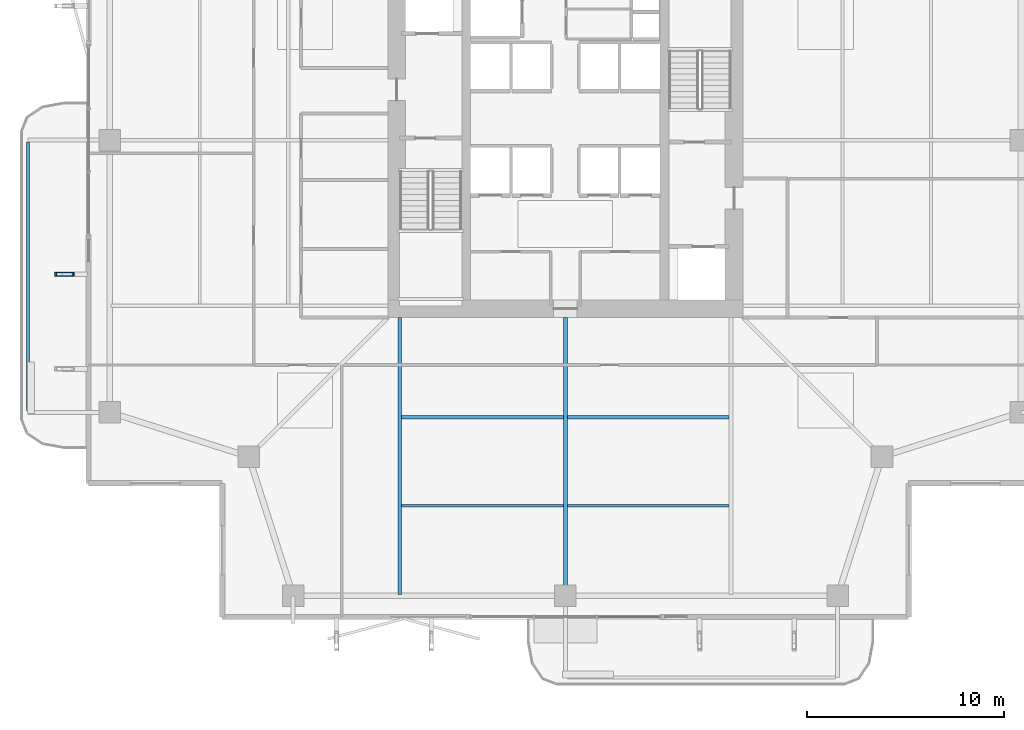
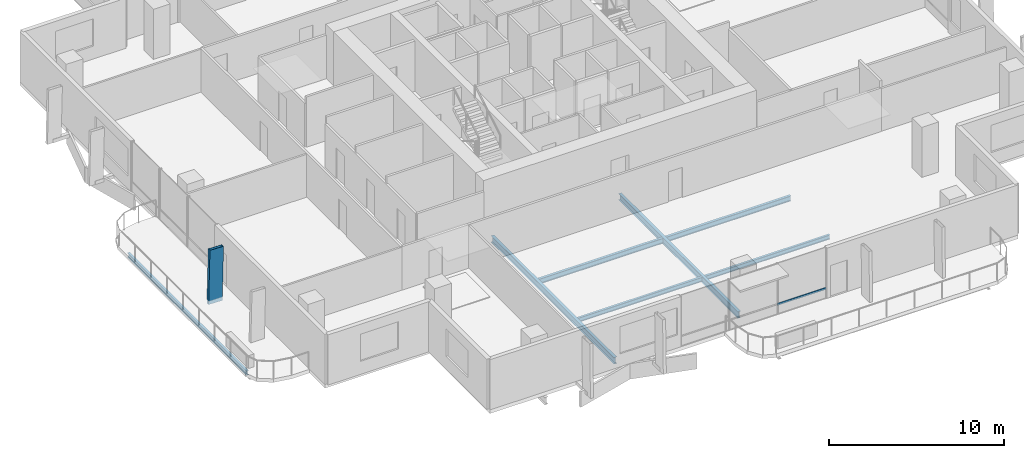
# One storey, part 3 of 25: 7 beams, 2 members, 1 element without a shape of its own.
"""IFC4 building model written with IfcOpenShell, lengths in metres."""

from ifc_helpers import new_model, si_unit, direction, frame, origin, origin_2d, place, context, subcontext, project, spatial, hollow_rectangle, i_section, extrude, material, layer, layer_set, material_profile, profile_set, type_object, element, aggregate, save


model = new_model("IFC4")

# Units and contexts
model_context = context("Model", 3, precision=1e-05, world=origin(), true_north=direction((0.0, 1.0)))
body_context = subcontext(model_context, "Body", "Model", "MODEL_VIEW")
ifc_project = project(units=[si_unit("LENGTHUNIT", "METRE"), si_unit("AREAUNIT", "SQUARE_METRE"), si_unit("VOLUMEUNIT", "CUBIC_METRE"), si_unit("PLANEANGLEUNIT", "RADIAN"), si_unit("MASSUNIT", "GRAM", prefix="KILO")], contexts=[model_context])

# Site, building, storey
site_placement = place(None, origin())
site = spatial("IfcSite", under=ifc_project, at=site_placement, CompositionType="ELEMENT")
building_placement = place(site_placement, origin())
building = spatial("IfcBuilding", under=site, at=building_placement, Name="Belovzor Exchange Tower", CompositionType="ELEMENT")
storey_placement = place(building_placement, frame((0.0, 0.0, 164.550048828125)))
storey = spatial("IfcBuildingStorey", under=building, at=storey_placement, Name="L40", CompositionType="ELEMENT", Elevation=164.550048828125)

# Beams
ifc_material_1 = material(Name="Steel S355", Category="steel")
ifc_material_profile_1 = material_profile(ifc_material_1, i_section(OverallWidth=0.14990234375, OverallDepth=0.300048828125, WebThickness=0.007080078125, FlangeThickness=0.0107421875, at=origin_2d()))
ifc_profile_set_1 = profile_set([ifc_material_profile_1], Name="Steel S355")
beam_type_1 = type_object("IfcBeamType", Name="Planted Balcony Fascia Edge Beam IPE 300", PredefinedType="BEAM", material=ifc_profile_set_1)
beam_1_placement = place(storey_placement, frame((1.547119140625, 28.699951171875, -0.405029296875), z_axis=(0.0, -1.0, 0.0), x_axis=(1.0, 0.0, 0.0)))
element("IfcBeam", 1, at=beam_1_placement, inside=storey, type_object=beam_type_1, Name="BC-300 Planted Balcony Fascia Edge Beam IPE 300", PredefinedType="BEAM", context=body_context, shape_type="SweptSolid", body=[
    extrude(i_section(OverallWidth=0.14990234375, OverallDepth=0.300048828125, WebThickness=0.007080078125, FlangeThickness=0.0107421875, at=origin_2d()), origin(), (0.0, 0.0, 1.0), 13.599853515625),
])
ifc_material_2 = material(Name="Steel S355", Category="steel")
ifc_material_profile_2 = material_profile(ifc_material_2, i_section(OverallWidth=0.169921875, OverallDepth=0.360107421875, WebThickness=0.008056640625, FlangeThickness=0.0126953125, at=origin_2d()))
ifc_profile_set_2 = profile_set([ifc_material_profile_2], Name="Steel S355")
beam_type_2 = type_object("IfcBeamType", Name="Secondary Infill Floor Joist IPE 360", PredefinedType="BEAM", material=ifc_profile_set_2)
for number, where, z_axis, x_axis, name in (
    (2, (20.4951171875, 14.7509765625, -0.43505859375), (1.0, 0.0, 0.0), (0.0, 1.0, 0.0), "FJ-360 Secondary Infill Floor Joist IPE 360"),
    (3, (28.89501953125, 14.7509765625, -0.43505859375), (1.0, 0.0, 0.0), (0.0, 1.0, 0.0), "FJ-360 Secondary Infill Floor Joist IPE 360"),
):
    element("IfcBeam", number, at=place(storey_placement, frame(where, z_axis=z_axis, x_axis=x_axis)), inside=storey, type_object=beam_type_2, Name=name, PredefinedType="BEAM", context=body_context, shape_type="SweptSolid", body=[
        extrude(i_section(OverallWidth=0.169921875, OverallDepth=0.360107421875, WebThickness=0.008056640625, FlangeThickness=0.0126953125, at=origin_2d()), origin(), (0.0, 0.0, 1.0), 8.2099609375),
    ])
ifc_material_3 = material(Name="Steel S355", Category="steel")
ifc_material_profile_3 = material_profile(ifc_material_3, i_section(OverallWidth=0.14990234375, OverallDepth=0.300048828125, WebThickness=0.007080078125, FlangeThickness=0.0107421875, at=origin_2d()))
ifc_profile_set_3 = profile_set([ifc_material_profile_3], Name="Steel S355")
beam_type_3 = type_object("IfcBeamType", Name="Secondary Trim Floor Joist IPE 300", PredefinedType="BEAM", material=ifc_profile_set_3)
for number, where, z_axis, x_axis, name in (
    (4, (20.4951171875, 10.262939453125, -0.405029296875), (1.0, 0.0, 0.0), (0.0, 1.0, 0.0), "FJ-300 Secondary Trim Floor Joist IPE 300"),
    (5, (28.89501953125, 10.262939453125, -0.405029296875), (1.0, 0.0, 0.0), (0.0, 1.0, 0.0), "FJ-300 Secondary Trim Floor Joist IPE 300"),
):
    element("IfcBeam", number, at=place(storey_placement, frame(where, z_axis=z_axis, x_axis=x_axis)), inside=storey, type_object=beam_type_3, Name=name, PredefinedType="BEAM", context=body_context, shape_type="SweptSolid", body=[
        extrude(i_section(OverallWidth=0.14990234375, OverallDepth=0.300048828125, WebThickness=0.007080078125, FlangeThickness=0.0107421875, at=origin_2d()), origin(), (0.0, 0.0, 1.0), 8.2099609375),
    ])

# Member
ifc_material_4 = material(Name="Extruded Architectural Terracotta on Steel S355 Carrier", Category="masonry")
ifc_material_profile_4 = material_profile(ifc_material_4, hollow_rectangle(XDim=0.199951171875, YDim=0.89990234375, WallThickness=0.011962890625, at=origin_2d()))
ifc_profile_set_4 = profile_set([ifc_material_profile_4], Name="Extruded Architectural Terracotta on Steel S355 Carrier")
member_type_1 = type_object("IfcMemberType", Name="Sweeping Terracotta Baguette Fin Assembly 1250", PredefinedType="USERDEFINED", material=ifc_profile_set_4)
member_1_placement = place(storey_placement, frame((3.35302734375, 22.0, -0.255126953125), z_axis=(0.02317086074, 0.0, 0.999731519565), x_axis=(0.0, 1.0, 0.0)))
element("IfcMember", 6, at=member_1_placement, inside=storey, type_object=member_type_1, Name="FIN-TC125 Terracotta Facade Fin L40 W2", ObjectType="FIN", PredefinedType="USERDEFINED", context=body_context, shape_type="SweptSolid", body=[
    extrude(hollow_rectangle(XDim=0.199951171875, YDim=0.89990234375, WallThickness=0.011962890625, at=origin_2d()), origin(), (0.0, 0.0, 1.0), 3.7509765625),
])

# Curtain wall, member
ifc_material_5 = material(Name="Anodised Aluminium Framing", Category="aluminium")
ifc_layer = layer(ifc_material_5, 0.179931640625)
ifc_layer_set = layer_set([ifc_layer], Name="Anodised Aluminium Framing")
curtain_wall_type = type_object("IfcCurtainWallType", Name="Recessed Loggia Low-Iron Triple-Glazed Curtain Wall", PredefinedType="NOTDEFINED", material=ifc_layer_set)
curtain_wall_placement = place(storey_placement, origin())
curtain_wall = element("IfcCurtainWall", 7, at=curtain_wall_placement, inside=storey, type_object=curtain_wall_type, Name="CW3 Recessed Loggia Low-Iron Triple-Glazed Curtain Wall L40", PredefinedType="NOTDEFINED")
ifc_material_6 = material(Name="Steel S355", Category="steel")
ifc_material_profile_5 = material_profile(ifc_material_6, hollow_rectangle(XDim=0.06005859375, YDim=0.14990234375, WallThickness=0.00390625, at=origin_2d()))
ifc_profile_set_5 = profile_set([ifc_material_profile_5], Name="Steel S355")
member_type_2 = type_object("IfcMemberType", Name="Thermally Broken Curtain Wall Transom 150x60", PredefinedType="USERDEFINED", material=ifc_profile_set_5)
member_2_placement = place(storey_placement, frame((33.592041015625, 4.6298828125, 0.62890625), z_axis=(-1.0, 0.0, 0.0), x_axis=(0.0, -1.0, 0.0)))
member_2 = element("IfcMember", 8, at=member_2_placement, type_object=member_type_2, Name="CW-T150 Curtain Wall Transom 1", ObjectType="TRANSOM", PredefinedType="USERDEFINED", context=body_context, shape_type="SweptSolid", body=[
    extrude(hollow_rectangle(XDim=0.06005859375, YDim=0.14990234375, WallThickness=0.00390625, at=origin_2d()), origin(), (0.0, 0.0, 1.0), 3.18408203125),
])
aggregate(curtain_wall, [member_2])

# Beams
ifc_material_7 = material(Name="Steel S355", Category="steel")
ifc_material_profile_6 = material_profile(ifc_material_7, i_section(OverallWidth=0.18994140625, OverallDepth=0.449951171875, WebThickness=0.009521484375, FlangeThickness=0.0146484375, at=origin_2d()))
ifc_profile_set_6 = profile_set([ifc_material_profile_6], Name="Steel S355")
beam_type_4 = type_object("IfcBeamType", Name="Zone 2-4 Radial Composite Floor Beam IPE 450", PredefinedType="BEAM", material=ifc_profile_set_6)
beam_2_placement = place(storey_placement, frame((20.39990234375, 19.800048828125, -0.47998046875), z_axis=(0.0, -1.0, 0.0), x_axis=(1.0, 0.0, 0.0)))
element("IfcBeam", 9, at=beam_2_placement, inside=storey, type_object=beam_type_4, Name="FB-450 Zone 2-4 Radial Composite Floor Beam IPE 450", PredefinedType="BEAM", context=body_context, shape_type="SweptSolid", body=[
    extrude(i_section(OverallWidth=0.18994140625, OverallDepth=0.449951171875, WebThickness=0.009521484375, FlangeThickness=0.0146484375, at=origin_2d()), origin(), (0.0, 0.0, 1.0), 14.025146484375),
])
beam_3_placement = place(storey_placement, frame((28.800048828125, 19.800048828125, -0.47998046875), z_axis=(0.0, -1.0, 0.0), x_axis=(1.0, 0.0, 0.0)))
element("IfcBeam", 10, at=beam_3_placement, inside=storey, type_object=beam_type_4, Name="FB-450 Zone 2-4 Radial Composite Floor Beam IPE 450", PredefinedType="BEAM", context=body_context, shape_type="SweptSolid", body=[
    extrude(i_section(OverallWidth=0.18994140625, OverallDepth=0.449951171875, WebThickness=0.009521484375, FlangeThickness=0.0146484375, at=origin_2d()), origin(), (0.0, 0.0, 1.0), 13.615966796875),
])

save(model, "model.ifc")
